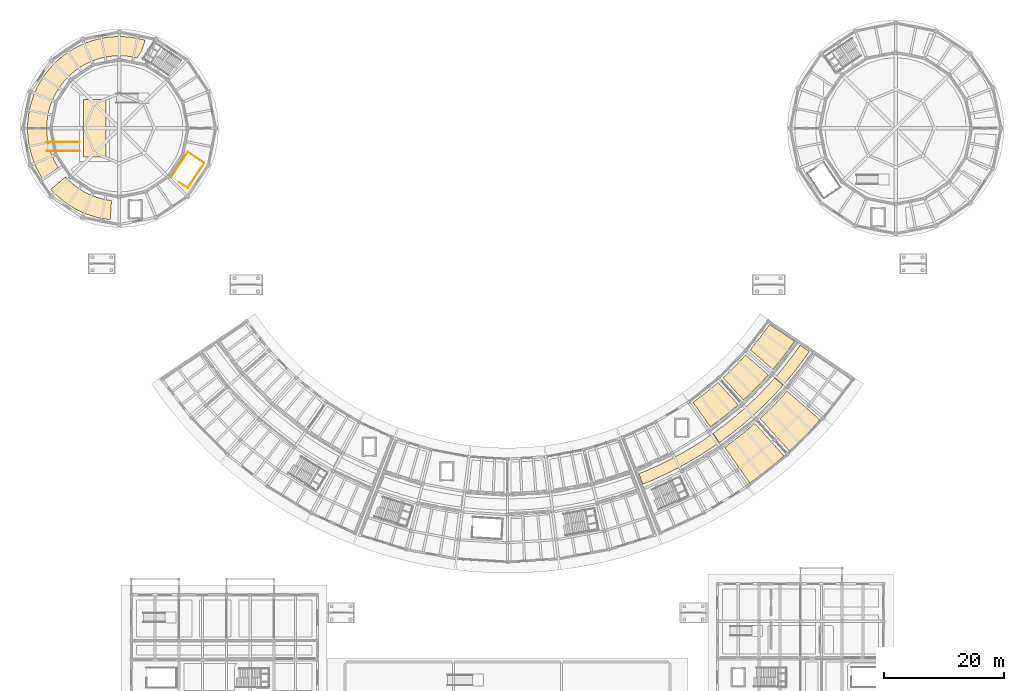
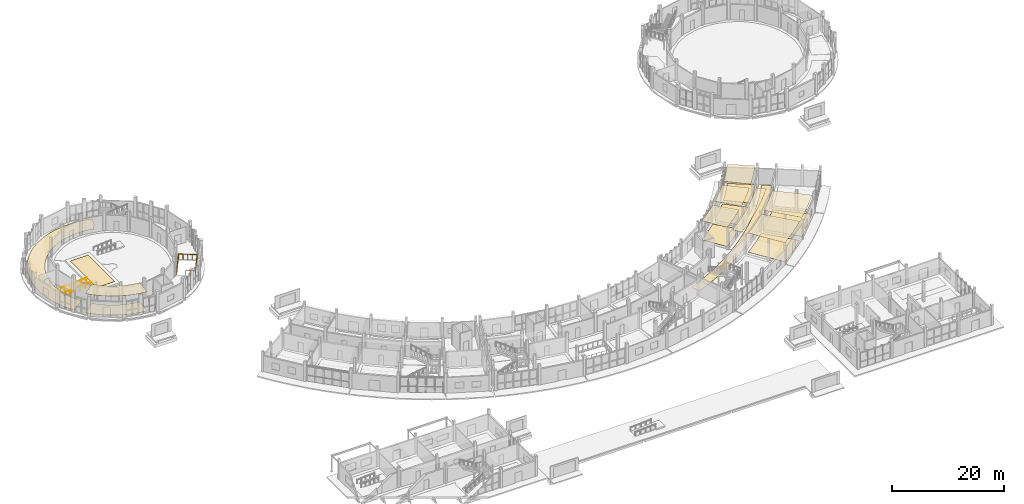
# One storey, part 86 of 92: 16 coverings, 3 railings.
"""IFC4 building model written with IfcOpenShell, lengths in metres."""

import ifcopenshell
import ifcopenshell.guid

model = None  # the IFC model being written
_history = None  # IfcOwnerHistory: only IFC2X3 demands one
_inside = {}  # id of a spatial element -> (the spatial element, [elements in it])
_under = {}  # id of a project, library or spatial element -> (it, [spatial elements below it])
_declared = {}  # id of a project -> (the project, [libraries it declares])
_typed = {}  # id of a type object -> (the type object, [elements of that type])
_made_of = {}  # id of a material, layer set ... -> (it, [elements and type objects made of it])


def new_model(schema):
    """Start an empty IFC model of exactly this schema.

    Asked for "IFC4X3", IfcOpenShell would pick the latest addendum, in which some entities
    have other attributes; the version numbers below select the first issue.
    IFC2X3 requires an IfcOwnerHistory on every rooted entity: one is made here for all.
    """
    global model, _history
    if schema == "IFC4X3":
        model = ifcopenshell.file(schema_version=(4, 3, 0, 0))
    else:
        model = ifcopenshell.file(schema=schema)
    _inside.clear()
    _under.clear()
    _declared.clear()
    _typed.clear()
    _made_of.clear()
    _history = None
    if model.schema == "IFC2X3":
        org = make("IfcOrganization", Name="unknown")
        user = make(
            "IfcPersonAndOrganization",
            ThePerson=make("IfcPerson", FamilyName="unknown"),
            TheOrganization=org,
        )
        app = make(
            "IfcApplication",
            ApplicationDeveloper=org,
            Version="unknown",
            ApplicationFullName="unknown",
            ApplicationIdentifier="unknown",
        )
        _history = make(
            "IfcOwnerHistory",
            OwningUser=user,
            OwningApplication=app,
            ChangeAction="ADDED",
            CreationDate=0,
        )
    return model


def make(cls, **values):
    """One entity of the class cls with the attributes given. An attribute that is None is left unset."""
    return model.create_entity(
        cls, **{name: value for name, value in values.items() if value is not None}
    )


def rooted(cls, **values):
    """An entity with a GlobalId (a new one), such as an element, a storey or a relation."""
    return make(cls, GlobalId=ifcopenshell.guid.new(), OwnerHistory=_history, **values)


def si_unit(unit_type, name, prefix=None):
    """IfcSIUnit, for example si_unit("LENGTHUNIT", "METRE", prefix="MILLI")."""
    return make("IfcSIUnit", UnitType=unit_type, Prefix=prefix, Name=name)


def assignment(units):
    """IfcUnitAssignment: the units of a project."""
    return None if units is None else make("IfcUnitAssignment", Units=units)


def point(xyz):
    """IfcCartesianPoint."""
    return None if xyz is None else make("IfcCartesianPoint", Coordinates=xyz)


def direction(xyz):
    """IfcDirection."""
    return None if xyz is None else make("IfcDirection", DirectionRatios=xyz)


def frame(location, z_axis=None, x_axis=None):
    """IfcAxis2Placement3D, a coordinate frame: its origin and axes. An axis left out is left unset."""
    return make(
        "IfcAxis2Placement3D",
        Location=point(location),
        Axis=direction(z_axis),
        RefDirection=direction(x_axis),
    )


def frame_2d(location, x_axis=None):
    """IfcAxis2Placement2D, a coordinate frame in the plane: its origin and x axis."""
    return make(
        "IfcAxis2Placement2D", Location=point(location), RefDirection=direction(x_axis)
    )


def origin():
    """The frame at (0, 0, 0) with its axes left unset."""
    return frame((0.0, 0.0, 0.0))


def origin_2d():
    """The frame at (0, 0) in the plane with its x axis left unset."""
    return frame_2d((0.0, 0.0))


def place(relative_to, where):
    """IfcLocalPlacement: puts the frame where relative to a parent placement (None: the world)."""
    return make(
        "IfcLocalPlacement", PlacementRelTo=relative_to, RelativePlacement=where
    )


def context(
    kind, dimensions, precision=None, world=None, true_north=None, identifier=None
):
    """IfcGeometricRepresentationContext, for example the 3D "Model" context."""
    return make(
        "IfcGeometricRepresentationContext",
        ContextIdentifier=identifier,
        ContextType=kind,
        CoordinateSpaceDimension=dimensions,
        Precision=precision,
        WorldCoordinateSystem=world,
        TrueNorth=true_north,
    )


def subcontext(parent, identifier, kind, view, scale=None):
    """IfcGeometricRepresentationSubContext, for example "Body" below "Model"."""
    return make(
        "IfcGeometricRepresentationSubContext",
        ContextIdentifier=identifier,
        ContextType=kind,
        ParentContext=parent,
        TargetScale=scale,
        TargetView=view,
    )


def project(units=None, contexts=None):
    """IfcProject with its units and contexts."""
    return rooted(
        "IfcProject",
        Name="project",
        RepresentationContexts=contexts,
        UnitsInContext=assignment(units),
    )


def spatial(cls, under=None, at=None, **own):
    """A site, building, storey or space (cls), placed at a placement, below another one or the project."""
    s = rooted(cls, ObjectPlacement=at, **own)
    if under is not None:
        _under.setdefault(under.id(), (under, []))[1].append(s)
    return s


def polyline(points):
    """IfcPolyline through the points."""
    return make("IfcPolyline", Points=[point(p) for p in points])


def profile(cls, at=None, kind="AREA", **sizes):
    """A parametric profile (cls). Its sizes go by their IFC names, for example OverallWidth=200.0."""
    return make(cls, ProfileType=kind, Position=at, **sizes)


def circle(**sizes):
    """IfcCircleProfileDef."""
    return profile("IfcCircleProfileDef", **sizes)


def outline(outer, holes=None, kind="AREA"):
    """IfcArbitraryClosedProfileDef: a profile drawn as a closed curve; with holes, ...WithVoids."""
    if holes is None:
        return make("IfcArbitraryClosedProfileDef", ProfileType=kind, OuterCurve=outer)
    return make(
        "IfcArbitraryProfileDefWithVoids",
        ProfileType=kind,
        OuterCurve=outer,
        InnerCurves=holes,
    )


def extrude(swept, where, along, depth):
    """IfcExtrudedAreaSolid: the profile swept, set in the frame where, extruded along a direction by depth."""
    return make(
        "IfcExtrudedAreaSolid",
        SweptArea=swept,
        Position=where,
        ExtrudedDirection=direction(along),
        Depth=depth,
    )


def shape(context_of_items, identifier, shape_type, items):
    """IfcShapeRepresentation: the items that make up one representation, for example the "Body"."""
    return make(
        "IfcShapeRepresentation",
        ContextOfItems=context_of_items,
        RepresentationIdentifier=identifier,
        RepresentationType=shape_type,
        Items=items,
    )


def material(Name=None, Category=None):
    """IfcMaterial."""
    return make("IfcMaterial", Name=Name, Category=Category)


def layer(
    of_material, thickness, ventilated=None, Name=None, Category=None, Priority=None
):
    """IfcMaterialLayer: one layer of a wall or slab, of a material (None: an air gap)."""
    return make(
        "IfcMaterialLayer",
        Material=of_material,
        LayerThickness=thickness,
        IsVentilated=ventilated,
        Name=Name,
        Category=Category,
        Priority=Priority,
    )


def layer_set(layers, Name=None):
    """IfcMaterialLayerSet."""
    return make("IfcMaterialLayerSet", MaterialLayers=layers, LayerSetName=Name)


def made_of(thing, what):
    """Note that an element or type object is made of a material, layer set ...; save() writes the relation."""
    if what is not None:
        _made_of.setdefault(what.id(), (what, []))[1].append(thing)
    return thing


def type_object(cls, material=None, **own):
    """A type object (cls), such as IfcWallType, which elements share."""
    return made_of(rooted(cls, **own), material)


def element(
    cls,
    number,
    at=None,
    inside=None,
    cuts=None,
    type_object=None,
    material=None,
    context=None,
    identifier="Body",
    shape_type=None,
    held_by="IfcProductDefinitionShape",
    body=None,
    shapes=None,
    **own,
):
    """One element of the class cls, such as IfcWall. Its Tag is "e" and its number.

    at: its placement. inside: the storey or other place that contains it. cuts: it is an
    opening in that element (IfcRelVoidsElement). A single representation is given by context,
    identifier, shape_type and body (its items); several are given by shapes. held_by: the class
    of the entity that holds the representations. save() writes the other relations.
    """
    e = rooted(cls, Tag="e%d" % number, ObjectPlacement=at, **own)
    if body is not None:
        shapes = [shape(context, identifier, shape_type, body)]
    if shapes is not None:
        e.Representation = make(held_by, Representations=shapes)
    if inside is not None:
        _inside.setdefault(inside.id(), (inside, []))[1].append(e)
    if cuts is not None:
        rooted(
            "IfcRelVoidsElement", RelatingBuildingElement=cuts, RelatedOpeningElement=e
        )
    if type_object is not None:
        _typed.setdefault(type_object.id(), (type_object, []))[1].append(e)
    return made_of(e, material)


def aggregate(whole, parts):
    """IfcRelAggregates: a whole, such as a stair, and the parts it consists of."""
    return rooted("IfcRelAggregates", RelatingObject=whole, RelatedObjects=parts)


def save(model, path):
    """Write the relations noted so far, then the file.

    IfcRelAggregates (storeys below a building ...), IfcRelContainedInSpatialStructure (elements
    in a storey), IfcRelDefinesByType, IfcRelAssociatesMaterial and IfcRelDeclares: one each for
    every whole, place, type object, material and project.
    """
    for whole, parts in _under.values():
        aggregate(whole, parts)
    for where, things in _inside.values():
        rooted(
            "IfcRelContainedInSpatialStructure",
            RelatedElements=things,
            RelatingStructure=where,
        )
    for kind, things in _typed.values():
        rooted("IfcRelDefinesByType", RelatedObjects=things, RelatingType=kind)
    for what, things in _made_of.values():
        rooted("IfcRelAssociatesMaterial", RelatedObjects=things, RelatingMaterial=what)
    for by, libraries in _declared.values():
        rooted("IfcRelDeclares", RelatingContext=by, RelatedDefinitions=libraries)
    model.write(path)


model = new_model("IFC4")

# Units and contexts
model_context = context("Model", 3, precision=1e-05, world=origin(), true_north=direction((0.0, 1.0)))
body_context = subcontext(model_context, "Body", "Model", "MODEL_VIEW")
ifc_project = project(units=[si_unit("LENGTHUNIT", "METRE"), si_unit("AREAUNIT", "SQUARE_METRE"), si_unit("VOLUMEUNIT", "CUBIC_METRE"), si_unit("PLANEANGLEUNIT", "RADIAN"), si_unit("MASSUNIT", "GRAM", prefix="KILO")], contexts=[model_context])

# Site, building, storey
site_placement = place(None, origin())
site = spatial("IfcSite", under=ifc_project, at=site_placement, CompositionType="ELEMENT")
building_placement = place(site_placement, origin())
building = spatial("IfcBuilding", under=site, at=building_placement, Name="Caldaven Crescent School", CompositionType="ELEMENT")
storey_placement = place(building_placement, origin())
storey = spatial("IfcBuildingStorey", under=building, at=storey_placement, Name="L00", CompositionType="ELEMENT", Elevation=0.0)

# Coverings
ifc_material_1 = material(Name="Perforated Pino Radiata acoustic timber baffle ceiling", Category="wood")
ifc_layer_1 = layer(ifc_material_1, 0.030029296875)
ifc_layer_set_1 = layer_set([ifc_layer_1], Name="Perforated Pino Radiata acoustic timber baffle ceiling")
covering_type_1 = type_object("IfcCoveringType", Name="COV-CLG1", PredefinedType="CEILING", material=ifc_layer_set_1)
covering_1_placement = place(storey_placement, frame((0.0, 0.0, 4.169921875)))
element("IfcCovering", 1, at=covering_1_placement, inside=storey, type_object=covering_type_1, Name="CLG-L00-112", PredefinedType="CEILING", context=body_context, shape_type="SweptSolid", body=[
    extrude(outline(polyline([(130.96875, 51.20751953125), (130.978515625, 51.216796875), (132.266845703125, 52.489990234375), (132.276123046875, 52.499267578125), (133.526611328125, 53.809814453125), (133.535400390625, 53.8193359375), (134.4501953125, 54.83642578125), (139.91845703125, 50.060791015625), (138.8564453125, 48.88037109375), (137.44970703125, 47.406005859375), (136.0, 45.973388671875), (134.838134765625, 44.89111328125), (129.968017578125, 50.275146484375), (130.96875, 51.20751953125)])), origin(), (0.0, 0.0, 1.0), 0.030029296875),
])
ifc_layer_2 = layer(ifc_material_1, 0.0380859375)
ifc_layer_set_2 = layer_set([ifc_layer_2], Name="Perforated Pino Radiata acoustic timber baffle ceiling")
covering_type_2 = type_object("IfcCoveringType", Name="COV-CLG2", PredefinedType="CEILING", material=ifc_layer_set_2)
covering_2_placement = place(storey_placement, frame((0.0, 0.0, 4.162109375)))
element("IfcCovering", 2, at=covering_2_placement, inside=storey, type_object=covering_type_2, Name="CLG-L00-109", PredefinedType="CEILING", context=body_context, shape_type="SweptSolid", body=[
    extrude(outline(polyline([(119.712646484375, 53.6220703125), (119.72314453125, 53.6298828125), (120.944580078125, 54.572509765625), (120.954833984375, 54.580810546875), (122.14794921875, 55.55859375), (122.157958984375, 55.567138671875), (122.9873046875, 56.288818359375), (126.32421875, 52.5654296875), (125.379150390625, 51.742919921875), (124.062255859375, 50.66357421875), (122.714111328125, 49.623291015625), (121.7001953125, 48.88720703125), (118.822998046875, 52.976318359375), (119.712646484375, 53.6220703125)])), origin(), (0.0, 0.0, 1.0), 0.037841796875),
])
covering_3_placement = place(storey_placement, frame((0.0, 0.0, 4.162109375)))
element("IfcCovering", 3, at=covering_3_placement, inside=storey, type_object=covering_type_2, Name="CLG-L00-113", PredefinedType="CEILING", context=body_context, shape_type="SweptSolid", body=[
    extrude(outline(polyline([(129.022705078125, 62.552978515625), (129.031005859375, 62.56298828125), (129.988037109375, 63.77294921875), (129.99609375, 63.783447265625), (130.917236328125, 65.02099609375), (130.9248046875, 65.03173828125), (131.554931640625, 65.9326171875), (135.693603515625, 63.127197265625), (134.9755859375, 62.1005859375), (133.958984375, 60.734619140625), (132.902587890625, 59.39892578125), (132.0966796875, 58.439697265625), (128.31591796875, 61.711181640625), (129.022705078125, 62.552978515625)])), origin(), (0.0, 0.0, 1.0), 0.037841796875),
])
ifc_layer_3 = layer(ifc_material_1, 0.0458984375)
ifc_layer_set_3 = layer_set([ifc_layer_3], Name="Perforated Pino Radiata acoustic timber baffle ceiling")
covering_type_3 = type_object("IfcCoveringType", Name="COV-CLG3", PredefinedType="CEILING", material=ifc_layer_set_3)
covering_4_placement = place(storey_placement, frame((0.0, 0.0, 4.154052734375)))
element("IfcCovering", 4, at=covering_4_placement, inside=storey, type_object=covering_type_3, Name="CLG-L00-106", PredefinedType="CEILING", context=body_context, shape_type="SweptSolid", body=[
    extrude(outline(polyline([(122.281494140625, 47.8955078125), (122.29443359375, 47.90478515625), (123.9677734375, 49.14306640625), (123.98046875, 49.152587890625), (125.60888671875, 50.44970703125), (125.62109375, 50.459716796875), (127.202392578125, 51.813720703125), (127.21435546875, 51.82421875), (128.74658203125, 53.2333984375), (128.758056640625, 53.244384765625), (130.239501953125, 54.707275390625), (130.25048828125, 54.718505859375), (131.678955078125, 56.23291015625), (131.689697265625, 56.244873046875), (132.396484375, 57.0498046875), (133.799560546875, 55.829345703125), (133.059814453125, 54.987060546875), (131.5751953125, 53.412841796875), (130.03564453125, 51.892578125), (128.443115234375, 50.427734375), (126.79931640625, 49.0205078125), (125.106689453125, 47.672607421875), (123.36767578125, 46.385498046875), (123.2119140625, 46.27880859375), (122.143310546875, 47.80078125), (122.281494140625, 47.8955078125)])), origin(), (0.0, 0.0, 1.0), 0.0458984375),
])
covering_5_placement = place(storey_placement, frame((0.0, 0.0, 4.154052734375)))
element("IfcCovering", 5, at=covering_5_placement, inside=storey, type_object=covering_type_3, Name="CLG-L00-110", PredefinedType="CEILING", context=body_context, shape_type="SweptSolid", body=[
    extrude(outline(polyline([(125.189697265625, 46.304931640625), (125.2001953125, 46.312744140625), (126.63427734375, 47.41943359375), (126.644775390625, 47.427734375), (128.04541015625, 48.575927734375), (128.0556640625, 48.58447265625), (129.08740234375, 49.482421875), (133.932861328125, 44.075927734375), (132.735107421875, 43.03369140625), (131.158935546875, 41.74169921875), (129.54541015625, 40.496826171875), (128.260498046875, 39.56396484375), (124.082763671875, 45.50146484375), (125.189697265625, 46.304931640625)])), origin(), (0.0, 0.0, 1.0), 0.0458984375),
])
ifc_layer_4 = layer(ifc_material_1, 0.053955078125)
ifc_layer_set_4 = layer_set([ifc_layer_4], Name="Perforated Pino Radiata acoustic timber baffle ceiling")
covering_type_4 = type_object("IfcCoveringType", Name="COV-CLG4", PredefinedType="CEILING", material=ifc_layer_set_4)
covering_6_placement = place(storey_placement, frame((0.0, 0.0, 4.14599609375)))
element("IfcCovering", 6, at=covering_6_placement, inside=storey, type_object=covering_type_4, Name="CLG-L00-023", PredefinedType="CEILING", context=body_context, shape_type="SweptSolid", body=[
    extrude(outline(polyline([(14.82666015625, 90.135009765625), (14.83740234375, 90.123779296875), (15.123779296875, 89.83740234375), (15.135009765625, 89.82666015625), (15.43115234375, 89.55029296875), (15.44287109375, 89.539794921875), (15.74853515625, 89.2744140625), (15.760498046875, 89.26416015625), (16.0751953125, 89.009521484375), (16.08740234375, 88.999755859375), (16.410888671875, 88.756103515625), (16.423583984375, 88.746826171875), (16.75537109375, 88.5146484375), (16.768310546875, 88.505859375), (17.107666015625, 88.285400390625), (17.12109375, 88.27685546875), (17.46826171875, 88.068359375), (17.481689453125, 88.060546875), (17.8359375, 87.8642578125), (17.849853515625, 87.856689453125), (18.210693359375, 87.673095703125), (18.224853515625, 87.666015625), (18.591796875, 87.4951171875), (18.606201171875, 87.48876953125), (18.978759765625, 87.33056640625), (18.993408203125, 87.32470703125), (19.371337890625, 87.179443359375), (19.385986328125, 87.174072265625), (19.768798828125, 87.042236328125), (19.783935546875, 87.037353515625), (20.171142578125, 86.9189453125), (20.18603515625, 86.914794921875), (20.5771484375, 86.809814453125), (20.59228515625, 86.80615234375), (20.98681640625, 86.715087890625), (21.002197265625, 86.7119140625), (21.39990234375, 86.634521484375), (21.415283203125, 86.631591796875), (21.815185546875, 86.568359375), (21.830810546875, 86.56640625), (22.211181640625, 86.51953125), (21.98779296875, 83.326416015625), (21.906005859375, 83.33349609375), (21.377685546875, 83.3984375), (20.851806640625, 83.481689453125), (20.329345703125, 83.583251953125), (19.810791015625, 83.703125), (19.29638671875, 83.8408203125), (18.78759765625, 83.996337890625), (18.2841796875, 84.169677734375), (17.787353515625, 84.360595703125), (17.29736328125, 84.568603515625), (16.81494140625, 84.79345703125), (16.340576171875, 85.03515625), (15.875, 85.293212890625), (15.418701171875, 85.5673828125), (14.972412109375, 85.857177734375), (14.536376953125, 86.16259765625), (14.111083984375, 86.48291015625), (13.697509765625, 86.81787109375), (13.2958984375, 87.1669921875), (12.906494140625, 87.530029296875), (12.530029296875, 87.906494140625), (12.1669921875, 88.2958984375), (12.113037109375, 88.35791015625), (14.565185546875, 90.415283203125), (14.82666015625, 90.135009765625)])), origin(), (0.0, 0.0, 1.0), 0.053955078125),
])
covering_7_placement = place(storey_placement, frame((0.0, 0.0, 4.14599609375)))
element("IfcCovering", 7, at=covering_7_placement, inside=storey, type_object=covering_type_4, Name="CLG-L00-111", PredefinedType="CEILING", context=body_context, shape_type="SweptSolid", body=[
    extrude(outline(polyline([(124.640869140625, 57.802734375), (124.650390625, 57.81201171875), (125.747802734375, 58.896240234375), (125.757080078125, 58.905517578125), (126.822021484375, 60.021484375), (126.830810546875, 60.03125), (127.56591796875, 60.8486328125), (131.331787109375, 57.559814453125), (130.494140625, 56.62841796875), (129.318603515625, 55.396240234375), (128.107421875, 54.199462890625), (127.190673828125, 53.345458984375), (123.836669921875, 57.053466796875), (124.640869140625, 57.802734375)])), origin(), (0.0, 0.0, 1.0), 0.053955078125),
])
ifc_material_2 = material(Name="Polished terrazzo and acoustic linoleum flooring")
ifc_layer_5 = layer(ifc_material_2, 0.02001953125)
ifc_layer_set_5 = layer_set([ifc_layer_5], Name="Polished terrazzo and acoustic linoleum flooring")
covering_type_5 = type_object("IfcCoveringType", Name="COV-FLR1", PredefinedType="FLOORING", material=ifc_layer_set_5)
covering_8_placement = place(storey_placement, frame((0.0, 0.0, 0.360107421875)))
element("IfcCovering", 8, at=covering_8_placement, inside=storey, type_object=covering_type_5, Name="FLR-L00-021", PredefinedType="FLOORING", context=body_context, shape_type="SweptSolid", body=[
    extrude(outline(polyline([(17.550048828125, 103.25), (21.25, 103.25), (21.25, 93.75), (17.550048828125, 93.75), (17.550048828125, 103.25)])), origin(), (0.0, 0.0, 1.0), 0.019775390625),
])
covering_9_placement = place(storey_placement, origin())
element("IfcCovering", 9, at=covering_9_placement, inside=storey, type_object=covering_type_5, Name="FLR-L00-111", PredefinedType="FLOORING", context=body_context, shape_type="SweptSolid", body=[
    extrude(outline(polyline([(123.836669921875, 57.053466796875), (124.640869140625, 57.802734375), (124.650390625, 57.81201171875), (125.747802734375, 58.896240234375), (125.757080078125, 58.905517578125), (126.822021484375, 60.021484375), (126.830810546875, 60.03125), (127.56591796875, 60.8486328125), (131.331787109375, 57.559814453125), (130.494140625, 56.62841796875), (129.318603515625, 55.396240234375), (128.107421875, 54.199462890625), (127.190673828125, 53.345458984375), (123.836669921875, 57.053466796875)])), origin(), (0.0, 0.0, 1.0), 0.02001953125),
])
ifc_layer_6 = layer(ifc_material_2, 0.02587890625)
ifc_layer_set_6 = layer_set([ifc_layer_6], Name="Polished terrazzo and acoustic linoleum flooring")
covering_type_6 = type_object("IfcCoveringType", Name="COV-FLR2", PredefinedType="FLOORING", material=ifc_layer_set_6)
covering_10_placement = place(storey_placement, origin())
element("IfcCovering", 10, at=covering_10_placement, inside=storey, type_object=covering_type_6, Name="FLR-L00-022", PredefinedType="FLOORING", context=body_context, shape_type="SweptSolid", body=[
    extrude(outline(polyline([(13.37841796875, 91.962158203125), (10.75634765625, 90.126220703125), (10.71240234375, 90.191162109375), (10.43212890625, 90.639404296875), (10.16748046875, 91.096923828125), (9.9189453125, 91.5634765625), (9.686767578125, 92.038330078125), (9.470947265625, 92.52099609375), (9.272216796875, 93.0107421875), (9.090576171875, 93.507080078125), (8.92626953125, 94.009521484375), (8.779296875, 94.517333984375), (8.650146484375, 95.02978515625), (8.538818359375, 95.546630859375), (8.4453125, 96.06689453125), (8.3701171875, 96.590087890625), (8.31298828125, 97.11572265625), (8.274169921875, 97.642822265625), (8.253662109375, 98.1708984375), (8.251220703125, 98.69970703125), (8.267578125, 99.22802734375), (8.3017578125, 99.75537109375), (8.3544921875, 100.281494140625), (8.42529296875, 100.805419921875), (8.514404296875, 101.326416015625), (8.62109375, 101.843994140625), (8.74609375, 102.357666015625), (8.888671875, 102.86669921875), (9.048583984375, 103.37060546875), (9.226318359375, 103.868408203125), (9.4208984375, 104.359619140625), (9.63232421875, 104.84423828125), (9.860595703125, 105.321044921875), (10.10498046875, 105.789794921875), (10.36572265625, 106.24951171875), (10.642333984375, 106.699951171875), (10.934326171875, 107.140625), (11.2412109375, 107.571044921875), (11.56298828125, 107.990478515625), (11.899169921875, 108.3984375), (12.2490234375, 108.79443359375), (12.612548828125, 109.17822265625), (12.9892578125, 109.54931640625), (13.37841796875, 109.90673828125), (13.77978515625, 110.250732421875), (14.193115234375, 110.58056640625), (14.6171875, 110.89599609375), (15.05224609375, 111.1962890625), (15.497314453125, 111.4814453125), (15.951904296875, 111.7509765625), (16.415771484375, 112.004638671875), (16.887939453125, 112.241943359375), (17.3681640625, 112.462890625), (17.855712890625, 112.6669921875), (18.350341796875, 112.85400390625), (18.850830078125, 113.02392578125), (19.35693359375, 113.176513671875), (19.8681640625, 113.311279296875), (20.383544921875, 113.427978515625), (20.90283203125, 113.527099609375), (21.42529296875, 113.608154296875), (21.949951171875, 113.6708984375), (22.476806640625, 113.715576171875), (23.004638671875, 113.741943359375), (23.533203125, 113.75), (24.061767578125, 113.739501953125), (24.589599609375, 113.7109375), (25.1162109375, 113.6640625), (25.640625, 113.598876953125), (26.16259765625, 113.515625), (26.681396484375, 113.414306640625), (27.196533203125, 113.295166015625), (27.70703125, 113.158203125), (27.781982421875, 113.13525390625), (27.189697265625, 111.311767578125), (26.6494140625, 110.503173828125), (26.63818359375, 110.4853515625), (26.62548828125, 110.464111328125), (26.6044921875, 110.42529296875), (26.593994140625, 110.403076171875), (26.576416015625, 110.360595703125), (26.568115234375, 110.33740234375), (26.555908203125, 110.296875), (26.5498046875, 110.273193359375), (26.541015625, 110.22900390625), (26.53759765625, 110.20458984375), (26.533203125, 110.160888671875), (26.533203125, 110.16064453125), (26.42822265625, 110.188720703125), (26.4130859375, 110.1923828125), (26.021484375, 110.283203125), (26.006103515625, 110.28662109375), (25.611572265625, 110.363525390625), (25.59619140625, 110.3662109375), (25.19921875, 110.429443359375), (25.183837890625, 110.431640625), (24.784912109375, 110.481201171875), (24.769287109375, 110.48291015625), (24.368896484375, 110.5185546875), (24.35302734375, 110.519775390625), (23.95166015625, 110.54150390625), (23.93603515625, 110.5419921875), (23.5341796875, 110.5498046875), (23.5185546875, 110.5498046875), (23.116455078125, 110.543701171875), (23.100830078125, 110.543212890625), (22.69921875, 110.523193359375), (22.68359375, 110.522216796875), (22.282958984375, 110.48828125), (22.267578125, 110.48681640625), (21.868408203125, 110.43896484375), (21.852783203125, 110.436767578125), (21.45556640625, 110.375244140625), (21.440185546875, 110.37255859375), (21.045166015625, 110.297119140625), (21.02978515625, 110.2939453125), (20.6376953125, 110.205078125), (20.622802734375, 110.201416015625), (20.23388671875, 110.098876953125), (20.218994140625, 110.094482421875), (19.833984375, 109.978759765625), (19.819091796875, 109.973876953125), (19.438232421875, 109.8447265625), (19.423583984375, 109.839599609375), (19.047607421875, 109.697265625), (19.032958984375, 109.69140625), (18.662109375, 109.5361328125), (18.64794921875, 109.52978515625), (18.28271484375, 109.36181640625), (18.2685546875, 109.35498046875), (17.9091796875, 109.174560546875), (17.8955078125, 109.167236328125), (17.54248046875, 108.974365234375), (17.52880859375, 108.966552734375), (17.18310546875, 108.761474609375), (17.169921875, 108.75341796875), (16.831298828125, 108.536376953125), (16.818359375, 108.52783203125), (16.487548828125, 108.29931640625), (16.47509765625, 108.290283203125), (16.152099609375, 108.05029296875), (16.1396484375, 108.040771484375), (15.825439453125, 107.789794921875), (15.8134765625, 107.780029296875), (15.50830078125, 107.518310546875), (15.49658203125, 107.508056640625), (15.200439453125, 107.236083984375), (15.189208984375, 107.225341796875), (14.902587890625, 106.943115234375), (14.8916015625, 106.931884765625), (14.615234375, 106.64013671875), (14.604736328125, 106.628662109375), (14.33837890625, 106.327392578125), (14.328369140625, 106.3154296875), (14.07275390625, 106.005126953125), (14.06298828125, 105.992919921875), (13.818115234375, 105.673583984375), (13.80908203125, 105.661376953125), (13.575439453125, 105.333984375), (13.56640625, 105.321044921875), (13.344482421875, 104.98583984375), (13.336181640625, 104.972900390625), (13.1259765625, 104.630126953125), (13.117919921875, 104.61669921875), (12.919677734375, 104.266845703125), (12.912109375, 104.253173828125), (12.72607421875, 103.896728515625), (12.718994140625, 103.8828125), (12.545654296875, 103.52001953125), (12.5390625, 103.506103515625), (12.378173828125, 103.137451171875), (12.3720703125, 103.123046875), (12.22412109375, 102.749267578125), (12.218505859375, 102.734619140625), (12.08349609375, 102.355712890625), (12.07861328125, 102.341064453125), (11.956787109375, 101.957763671875), (11.952392578125, 101.94287109375), (11.843994140625, 101.5556640625), (11.840087890625, 101.54052734375), (11.7451171875, 101.14990234375), (11.74169921875, 101.134521484375), (11.660400390625, 100.740966796875), (11.657470703125, 100.7255859375), (11.589599609375, 100.329345703125), (11.58740234375, 100.313720703125), (11.533447265625, 99.915283203125), (11.531494140625, 99.89990234375), (11.49169921875, 99.499755859375), (11.490478515625, 99.484375), (11.464111328125, 99.0830078125), (11.46337890625, 99.0673828125), (11.451171875, 98.66552734375), (11.450927734375, 98.64990234375), (11.45263671875, 98.247802734375), (11.452880859375, 98.232421875), (11.468505859375, 97.83056640625), (11.469482421875, 97.81494140625), (11.4990234375, 97.413818359375), (11.50048828125, 97.3984375), (11.5439453125, 96.998779296875), (11.5458984375, 96.983154296875), (11.603271484375, 96.585205078125), (11.605712890625, 96.56982421875), (11.6767578125, 96.174072265625), (11.6796875, 96.15869140625), (11.764404296875, 95.765625), (11.76806640625, 95.75048828125), (11.8662109375, 95.360595703125), (11.870361328125, 95.345458984375), (11.98193359375, 94.959228515625), (11.986572265625, 94.9443359375), (12.111572265625, 94.562255859375), (12.11669921875, 94.54736328125), (12.2548828125, 94.169921875), (12.260498046875, 94.155517578125), (12.41162109375, 93.78271484375), (12.41796875, 93.768310546875), (12.58203125, 93.4013671875), (12.58837890625, 93.38720703125), (12.76513671875, 93.02587890625), (12.772216796875, 93.01220703125), (12.96142578125, 92.6572265625), (12.968994140625, 92.6435546875), (13.170166015625, 92.29541015625), (13.17822265625, 92.281982421875), (13.37841796875, 91.962158203125)])), origin(), (0.0, 0.0, 1.0), 0.02587890625),
])
covering_11_placement = place(storey_placement, origin())
element("IfcCovering", 11, at=covering_11_placement, inside=storey, type_object=covering_type_6, Name="FLR-L00-106", PredefinedType="FLOORING", context=body_context, shape_type="SweptSolid", body=[
    extrude(outline(polyline([(109.815673828125, 41.11279296875), (111.3330078125, 41.73388671875), (111.347900390625, 41.739990234375), (113.2451171875, 42.596435546875), (113.259765625, 42.603515625), (115.12548828125, 43.526611328125), (115.1396484375, 43.533935546875), (116.971435546875, 44.522705078125), (116.985595703125, 44.530517578125), (118.781005859375, 45.583984375), (118.794677734375, 45.59228515625), (120.5517578125, 46.70849609375), (120.565185546875, 46.71728515625), (122.281494140625, 47.8955078125), (122.29443359375, 47.90478515625), (123.9677734375, 49.14306640625), (123.98046875, 49.152587890625), (125.60888671875, 50.44970703125), (125.62109375, 50.459716796875), (127.202392578125, 51.813720703125), (127.21435546875, 51.82421875), (128.74658203125, 53.2333984375), (128.758056640625, 53.244384765625), (130.239501953125, 54.707275390625), (130.25048828125, 54.718505859375), (131.678955078125, 56.23291015625), (131.689697265625, 56.244873046875), (133.063232421875, 57.808837890625), (133.073486328125, 57.821044921875), (134.390869140625, 59.43310546875), (134.40087890625, 59.445556640625), (135.659912109375, 61.103271484375), (135.66943359375, 61.1162109375), (136.6142578125, 62.456298828125), (138.153076171875, 61.41162109375), (137.16552734375, 60.010986328125), (135.856689453125, 58.2880859375), (134.487548828125, 56.61279296875), (133.059814453125, 54.987060546875), (131.5751953125, 53.412841796875), (130.03564453125, 51.892578125), (128.443115234375, 50.427734375), (126.79931640625, 49.0205078125), (125.106689453125, 47.672607421875), (123.36767578125, 46.385498046875), (121.58349609375, 45.160888671875), (119.75732421875, 44.000732421875), (117.89111328125, 42.906005859375), (115.987060546875, 41.878173828125), (114.047607421875, 40.91845703125), (112.075439453125, 40.0283203125), (110.489501953125, 39.37939453125), (109.815673828125, 41.11279296875)])), origin(), (0.0, 0.0, 1.0), 0.02587890625),
])
covering_12_placement = place(storey_placement, origin())
element("IfcCovering", 12, at=covering_12_placement, inside=storey, type_object=covering_type_6, Name="FLR-L00-109", PredefinedType="FLOORING", context=body_context, shape_type="SweptSolid", body=[
    extrude(outline(polyline([(118.822998046875, 52.976318359375), (119.712646484375, 53.6220703125), (119.72314453125, 53.6298828125), (120.944580078125, 54.572509765625), (120.954833984375, 54.580810546875), (122.14794921875, 55.55859375), (122.157958984375, 55.567138671875), (122.9873046875, 56.288818359375), (126.32421875, 52.5654296875), (125.379150390625, 51.742919921875), (124.062255859375, 50.66357421875), (122.714111328125, 49.623291015625), (121.7001953125, 48.88720703125), (118.822998046875, 52.976318359375)])), origin(), (0.0, 0.0, 1.0), 0.02587890625),
])
covering_13_placement = place(storey_placement, origin())
element("IfcCovering", 13, at=covering_13_placement, inside=storey, type_object=covering_type_6, Name="FLR-L00-112", PredefinedType="FLOORING", context=body_context, shape_type="SweptSolid", body=[
    extrude(outline(polyline([(129.968017578125, 50.275146484375), (130.96875, 51.20751953125), (130.978515625, 51.216796875), (132.266845703125, 52.489990234375), (132.276123046875, 52.499267578125), (133.526611328125, 53.809814453125), (133.535400390625, 53.8193359375), (134.4501953125, 54.83642578125), (139.91845703125, 50.060791015625), (138.8564453125, 48.88037109375), (137.44970703125, 47.406005859375), (136.0, 45.973388671875), (134.838134765625, 44.89111328125), (129.968017578125, 50.275146484375)])), origin(), (0.0, 0.0, 1.0), 0.02587890625),
])
ifc_layer_7 = layer(ifc_material_2, 0.031982421875)
ifc_layer_set_7 = layer_set([ifc_layer_7], Name="Polished terrazzo and acoustic linoleum flooring")
covering_type_7 = type_object("IfcCoveringType", Name="COV-FLR3", PredefinedType="FLOORING", material=ifc_layer_set_7)
covering_14_placement = place(storey_placement, origin())
element("IfcCovering", 14, at=covering_14_placement, inside=storey, type_object=covering_type_7, Name="FLR-L00-023", PredefinedType="FLOORING", context=body_context, shape_type="SweptSolid", body=[
    extrude(outline(polyline([(14.565185546875, 90.415283203125), (14.82666015625, 90.135009765625), (14.83740234375, 90.123779296875), (15.123779296875, 89.83740234375), (15.135009765625, 89.82666015625), (15.43115234375, 89.55029296875), (15.44287109375, 89.539794921875), (15.74853515625, 89.2744140625), (15.760498046875, 89.26416015625), (16.0751953125, 89.009521484375), (16.08740234375, 88.999755859375), (16.410888671875, 88.756103515625), (16.423583984375, 88.746826171875), (16.75537109375, 88.5146484375), (16.768310546875, 88.505859375), (17.107666015625, 88.285400390625), (17.12109375, 88.27685546875), (17.46826171875, 88.068359375), (17.481689453125, 88.060546875), (17.8359375, 87.8642578125), (17.849853515625, 87.856689453125), (18.210693359375, 87.673095703125), (18.224853515625, 87.666015625), (18.591796875, 87.4951171875), (18.606201171875, 87.48876953125), (18.978759765625, 87.33056640625), (18.993408203125, 87.32470703125), (19.371337890625, 87.179443359375), (19.385986328125, 87.174072265625), (19.768798828125, 87.042236328125), (19.783935546875, 87.037353515625), (20.171142578125, 86.9189453125), (20.18603515625, 86.914794921875), (20.5771484375, 86.809814453125), (20.59228515625, 86.80615234375), (20.98681640625, 86.715087890625), (21.002197265625, 86.7119140625), (21.39990234375, 86.634521484375), (21.415283203125, 86.631591796875), (21.815185546875, 86.568359375), (21.830810546875, 86.56640625), (22.211181640625, 86.51953125), (21.98779296875, 83.326416015625), (21.906005859375, 83.33349609375), (21.377685546875, 83.3984375), (20.851806640625, 83.481689453125), (20.329345703125, 83.583251953125), (19.810791015625, 83.703125), (19.29638671875, 83.8408203125), (18.78759765625, 83.996337890625), (18.2841796875, 84.169677734375), (17.787353515625, 84.360595703125), (17.29736328125, 84.568603515625), (16.81494140625, 84.79345703125), (16.340576171875, 85.03515625), (15.875, 85.293212890625), (15.418701171875, 85.5673828125), (14.972412109375, 85.857177734375), (14.536376953125, 86.16259765625), (14.111083984375, 86.48291015625), (13.697509765625, 86.81787109375), (13.2958984375, 87.1669921875), (12.906494140625, 87.530029296875), (12.530029296875, 87.906494140625), (12.1669921875, 88.2958984375), (12.113037109375, 88.35791015625), (14.565185546875, 90.415283203125)])), origin(), (0.0, 0.0, 1.0), 0.031982421875),
])
covering_15_placement = place(storey_placement, origin())
element("IfcCovering", 15, at=covering_15_placement, inside=storey, type_object=covering_type_7, Name="FLR-L00-110", PredefinedType="FLOORING", context=body_context, shape_type="SweptSolid", body=[
    extrude(outline(polyline([(124.082763671875, 45.50146484375), (125.189697265625, 46.304931640625), (125.2001953125, 46.312744140625), (126.63427734375, 47.41943359375), (126.644775390625, 47.427734375), (128.04541015625, 48.575927734375), (128.0556640625, 48.58447265625), (129.08740234375, 49.482421875), (133.932861328125, 44.075927734375), (132.735107421875, 43.03369140625), (131.158935546875, 41.74169921875), (129.54541015625, 40.496826171875), (128.260498046875, 39.56396484375), (124.082763671875, 45.50146484375)])), origin(), (0.0, 0.0, 1.0), 0.031982421875),
])
covering_16_placement = place(storey_placement, origin())
element("IfcCovering", 16, at=covering_16_placement, inside=storey, type_object=covering_type_7, Name="FLR-L00-113", PredefinedType="FLOORING", context=body_context, shape_type="SweptSolid", body=[
    extrude(outline(polyline([(128.31591796875, 61.711181640625), (129.022705078125, 62.552978515625), (129.031005859375, 62.56298828125), (129.988037109375, 63.77294921875), (129.99609375, 63.783447265625), (130.917236328125, 65.02099609375), (130.9248046875, 65.03173828125), (131.554931640625, 65.9326171875), (135.693603515625, 63.127197265625), (134.9755859375, 62.1005859375), (133.958984375, 60.734619140625), (132.902587890625, 59.39892578125), (132.0966796875, 58.439697265625), (128.31591796875, 61.711181640625)])), origin(), (0.0, 0.0, 1.0), 0.031982421875),
])

# Railings
ifc_material_3 = material(Name="Brushed stainless-steel continuous tubular handrail", Category="steel")
railing_type_1 = type_object("IfcRailingType", Name="RAL-HR3", PredefinedType="HANDRAIL", material=ifc_material_3)
for number, where, name in (
    (17, (11.5, 94.75, 0.0), "HR-RMP3-L"),
    (18, (11.5, 96.25, 0.0), "HR-RMP3-R"),
):
    element("IfcRailing", number, at=place(storey_placement, frame(where)), inside=storey, type_object=railing_type_1, Name=name, PredefinedType="HANDRAIL", context=body_context, shape_type="SweptSolid", body=[
        extrude(circle(Radius=0.02392578125, at=origin_2d()), frame((0.0, 0.0, 0.8759765625), z_axis=(0.997783760367, 0.0, 0.066539969552), x_axis=(0.0, 1.0, 0.0)), (0.0, 0.0, 1.0), 5.411865234375),
        extrude(circle(Radius=0.02099609375, at=origin_2d()), origin(), (0.0, 0.0, 1.0), 0.851806640625),
        extrude(circle(Radius=0.02099609375, at=origin_2d()), frame((1.080078125, 0.0, 0.072021484375)), (0.0, 0.0, 1.0), 0.851806640625),
        extrude(circle(Radius=0.02099609375, at=origin_2d()), frame((2.159912109375, 0.0, 0.14404296875)), (0.0, 0.0, 1.0), 0.851806640625),
        extrude(circle(Radius=0.02099609375, at=origin_2d()), frame((3.239990234375, 0.0, 0.216064453125)), (0.0, 0.0, 1.0), 0.851806640625),
        extrude(circle(Radius=0.02099609375, at=origin_2d()), frame((4.31982421875, 0.0, 0.2880859375)), (0.0, 0.0, 1.0), 0.851806640625),
        extrude(circle(Radius=0.02099609375, at=origin_2d()), frame((5.39990234375, 0.0, 0.360107421875)), (0.0, 0.0, 1.0), 0.851806640625),
    ])
ifc_material_4 = material(Name="Powder-coated tubular steel balustrade ASTM A572 Grade 50", Category="steel")
railing_type_2 = type_object("IfcRailingType", Name="RAL-INT3", PredefinedType="BALUSTRADE", material=ifc_material_4)
railing_placement = place(storey_placement, frame((33.468505859375, 89.515625, 0.0)))
element("IfcRailing", 19, at=railing_placement, inside=storey, type_object=railing_type_2, Name="GD-WELL-STB1-L00", PredefinedType="BALUSTRADE", context=body_context, shape_type="SweptSolid", body=[
    extrude(circle(Radius=0.02392578125, at=origin_2d()), frame((0.0, 0.0, 1.1259765625), z_axis=(0.831490969121, -0.555538268953, 0.0), x_axis=(0.555538268953, 0.831490969121, 0.0)), (0.0, 0.0, 1.0), 1.68017578125),
    extrude(circle(Radius=0.02392578125, at=origin_2d()), frame((1.39697265625, -0.933349609375, 1.1259765625), z_axis=(0.555570675158, 0.831469316875, 0.0), x_axis=(-0.831469316875, 0.555570675158, 0.0)), (0.0, 0.0, 1.0), 4.98193359375),
    extrude(circle(Radius=0.02392578125, at=origin_2d()), frame((4.164794921875, 3.208984375, 1.1259765625), z_axis=(-0.831472868546, 0.555565359677, 0.0), x_axis=(-0.555565359677, -0.831472868546, 0.0)), (0.0, 0.0, 1.0), 3.320068359375),
    extrude(circle(Radius=0.02392578125, at=origin_2d()), frame((1.404296875, 5.053466796875, 1.1259765625), z_axis=(-0.555570675158, -0.831469316875, 0.0), x_axis=(0.831469316875, -0.555570675158, 0.0)), (0.0, 0.0, 1.0), 4.98193359375),
    extrude(circle(Radius=0.02099609375, at=origin_2d()), origin(), (0.0, 0.0, 1.0), 1.101806640625),
    extrude(circle(Radius=0.02099609375, at=origin_2d()), frame((0.698486328125, -0.466796875, 0.0)), (0.0, 0.0, 1.0), 1.101806640625),
    extrude(circle(Radius=0.02099609375, at=origin_2d()), frame((1.39697265625, -0.933349609375, 0.0)), (0.0, 0.0, 1.0), 1.101806640625),
    extrude(circle(Radius=0.02099609375, at=origin_2d()), frame((1.950439453125, -0.10498046875, 0.0)), (0.0, 0.0, 1.0), 1.101806640625),
    extrude(circle(Radius=0.02099609375, at=origin_2d()), frame((2.504150390625, 0.7236328125, 0.0)), (0.0, 0.0, 1.0), 1.101806640625),
    extrude(circle(Radius=0.02099609375, at=origin_2d()), frame((3.0576171875, 1.552001953125, 0.0)), (0.0, 0.0, 1.0), 1.101806640625),
    extrude(circle(Radius=0.02099609375, at=origin_2d()), frame((3.611328125, 2.380615234375, 0.0)), (0.0, 0.0, 1.0), 1.101806640625),
    extrude(circle(Radius=0.02099609375, at=origin_2d()), frame((4.164794921875, 3.208984375, 0.0)), (0.0, 0.0, 1.0), 1.101806640625),
    extrude(circle(Radius=0.02099609375, at=origin_2d()), frame((3.474609375, 3.670166015625, 0.0)), (0.0, 0.0, 1.0), 1.101806640625),
    extrude(circle(Radius=0.02099609375, at=origin_2d()), frame((2.78466796875, 4.13134765625, 0.0)), (0.0, 0.0, 1.0), 1.101806640625),
    extrude(circle(Radius=0.02099609375, at=origin_2d()), frame((2.094482421875, 4.59228515625, 0.0)), (0.0, 0.0, 1.0), 1.101806640625),
    extrude(circle(Radius=0.02099609375, at=origin_2d()), frame((1.404296875, 5.053466796875, 0.0)), (0.0, 0.0, 1.0), 1.101806640625),
    extrude(circle(Radius=0.02099609375, at=origin_2d()), frame((0.850830078125, 4.22509765625, 0.0)), (0.0, 0.0, 1.0), 1.101806640625),
    extrude(circle(Radius=0.02099609375, at=origin_2d()), frame((0.297119140625, 3.396484375, 0.0)), (0.0, 0.0, 1.0), 1.101806640625),
    extrude(circle(Radius=0.02099609375, at=origin_2d()), frame((-0.25634765625, 2.568115234375, 0.0)), (0.0, 0.0, 1.0), 1.101806640625),
    extrude(circle(Radius=0.02099609375, at=origin_2d()), frame((-0.81005859375, 1.739501953125, 0.0)), (0.0, 0.0, 1.0), 1.101806640625),
    extrude(circle(Radius=0.02099609375, at=origin_2d()), frame((-1.363525390625, 0.9111328125, 0.0)), (0.0, 0.0, 1.0), 1.101806640625),
])

save(model, "model.ifc")
